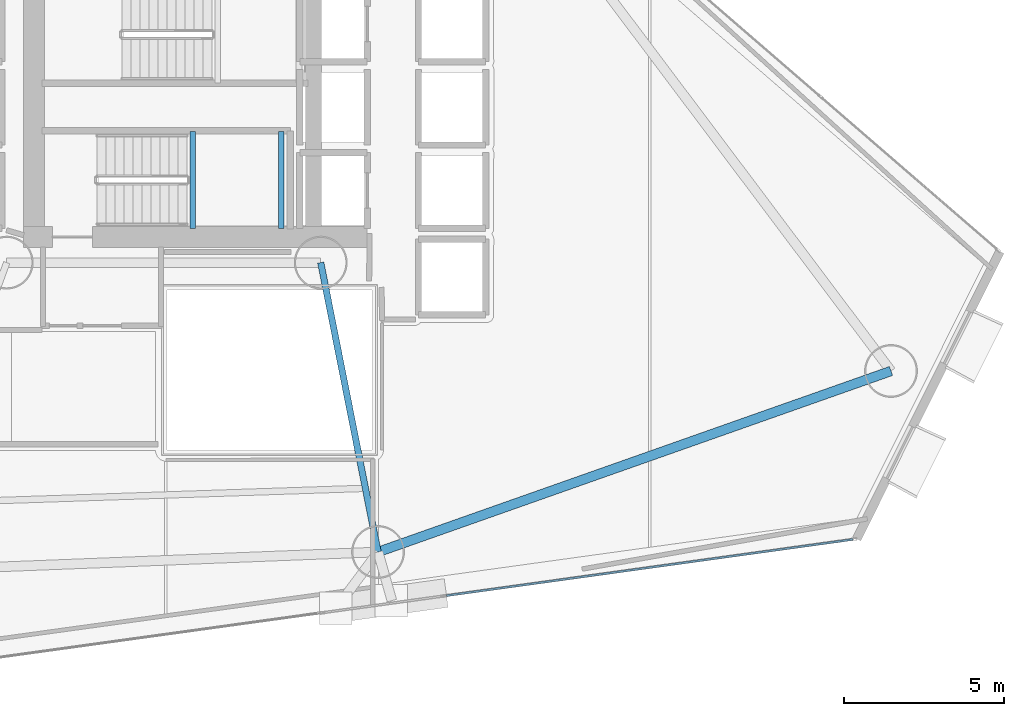
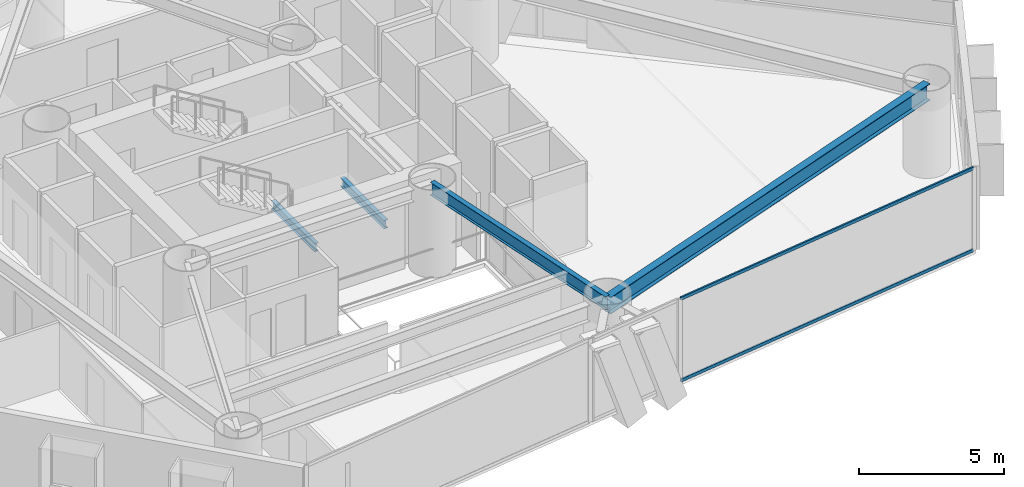
# One storey, part 7 of 23: 4 beams, 2 members, 1 element without a shape of its own.
"""IFC4 building model written with IfcOpenShell, lengths in metres."""

from ifc_helpers import new_model, si_unit, direction, frame, origin, origin_2d, place, context, subcontext, project, spatial, hollow_rectangle, i_section, extrude, material, layer, layer_set, material_profile, profile_set, type_object, element, aggregate, save


model = new_model("IFC4")

# Units and contexts
model_context = context("Model", 3, precision=1e-05, world=origin(), true_north=direction((0.0, 1.0)))
body_context = subcontext(model_context, "Body", "Model", "MODEL_VIEW")
ifc_project = project(units=[si_unit("LENGTHUNIT", "METRE"), si_unit("AREAUNIT", "SQUARE_METRE"), si_unit("VOLUMEUNIT", "CUBIC_METRE"), si_unit("PLANEANGLEUNIT", "RADIAN"), si_unit("MASSUNIT", "GRAM", prefix="KILO")], contexts=[model_context])

# Site, building, storey
site_placement = place(None, origin())
site = spatial("IfcSite", under=ifc_project, at=site_placement, CompositionType="ELEMENT")
building_placement = place(site_placement, origin())
building = spatial("IfcBuilding", under=site, at=building_placement, Name="Qianvela Tower", CompositionType="ELEMENT")
storey_placement = place(building_placement, frame((0.0, 0.0, 74.699951171875)))
storey = spatial("IfcBuildingStorey", under=building, at=storey_placement, Name="L18", CompositionType="ELEMENT", Elevation=74.699951171875)

# Beams
ifc_material_1 = material(Name="Steel Q355B", Category="steel")
ifc_material_profile_1 = material_profile(ifc_material_1, i_section(OverallWidth=0.175048828125, OverallDepth=0.35009765625, WebThickness=0.007080078125, FlangeThickness=0.010986328125, at=origin_2d()), Name="HN350x175x7x11")
ifc_profile_set_1 = profile_set([ifc_material_profile_1], Name="Steel Q355B")
beam_type_1 = type_object("IfcBeamType", Name="BM-HN350-JOIST", PredefinedType="JOIST", material=ifc_profile_set_1)
for number, where, z_axis, x_axis, name in (
    (1, (34.39990234375, 24.919921875, 1.47509765625), (0.0, 1.0, 0.0), (-1.0, 0.0, 0.0), "L18 Stair ST-2 Landing Support Beam 1.1"),
    (2, (37.169921875, 24.919921875, 1.47509765625), (0.0, 1.0, 0.0), (-1.0, 0.0, 0.0), "L18 Stair ST-2 Landing Support Beam 1.2"),
):
    element("IfcBeam", number, at=place(storey_placement, frame(where, z_axis=z_axis, x_axis=x_axis)), inside=storey, type_object=beam_type_1, Name=name, PredefinedType="JOIST", context=body_context, shape_type="SweptSolid", body=[
        extrude(i_section(OverallWidth=0.175048828125, OverallDepth=0.35009765625, WebThickness=0.007080078125, FlangeThickness=0.010986328125, at=origin_2d()), origin(), (0.0, 0.0, 1.0), 3.02001953125),
    ])
ifc_material_2 = material(Name="Steel Q355B", Category="steel")
ifc_material_profile_2 = material_profile(ifc_material_2, i_section(OverallWidth=0.199951171875, OverallDepth=0.550048828125, WebThickness=0.010009765625, FlangeThickness=0.01611328125, at=origin_2d()), Name="HN550x200x10x16")
ifc_profile_set_2 = profile_set([ifc_material_profile_2], Name="Steel Q355B")
beam_type_2 = type_object("IfcBeamType", Name="BM-HN550-GIRD", PredefinedType="BEAM", material=ifc_profile_set_2)
beam_1_placement = place(storey_placement, frame((38.39990234375, 23.85009765625, 3.2431640625), z_axis=(0.194325825688, -0.980937038485, 0.0), x_axis=(0.980937038485, 0.194325825688, 0.0)))
element("IfcBeam", 3, at=beam_1_placement, inside=storey, type_object=beam_type_2, Name="L18 Radial Primary Floor Girder 6", PredefinedType="BEAM", context=body_context, shape_type="SweptSolid", body=[
    extrude(i_section(OverallWidth=0.199951171875, OverallDepth=0.550048828125, WebThickness=0.010009765625, FlangeThickness=0.01611328125, at=origin_2d()), origin(), (0.0, 0.0, 1.0), 9.20654296875),
])
ifc_material_3 = material(Name="Steel Q355B", Category="steel")
ifc_material_profile_3 = material_profile(ifc_material_3, i_section(OverallWidth=0.300048828125, OverallDepth=0.699951171875, WebThickness=0.012939453125, FlangeThickness=0.02392578125, at=origin_2d()), Name="HN700x300x13x24")
ifc_profile_set_3 = profile_set([ifc_material_profile_3], Name="Steel Q355B")
beam_type_3 = type_object("IfcBeamType", Name="BM-HN700-SPAND", PredefinedType="SPANDREL", material=ifc_profile_set_3)
beam_2_placement = place(storey_placement, frame((40.18896484375, 14.819091796875, 3.16796875), z_axis=(0.943021125648, 0.332732860687, 0.0), x_axis=(-0.332732860687, 0.943021125648, 0.0)))
element("IfcBeam", 4, at=beam_2_placement, inside=storey, type_object=beam_type_3, Name="L18 Perimeter Ring Spandrel Girder 6", PredefinedType="SPANDREL", context=body_context, shape_type="SweptSolid", body=[
    extrude(i_section(OverallWidth=0.300048828125, OverallDepth=0.699951171875, WebThickness=0.012939453125, FlangeThickness=0.02392578125, at=origin_2d()), origin(), (0.0, 0.0, 1.0), 16.977294921875),
])

# Curtain wall, members
ifc_material_4 = material(Name="Anodised Architectural Aluminium and Low-E Glass", Category="aluminium")
ifc_layer = layer(ifc_material_4, 0.179931640625)
ifc_layer_set = layer_set([ifc_layer], Name="Anodised Architectural Aluminium and Low-E Glass")
curtain_wall_type = type_object("IfcCurtainWallType", Name="CW-COLIV-Z12", PredefinedType="USERDEFINED", material=ifc_layer_set)
curtain_wall_placement = place(storey_placement, origin())
curtain_wall = element("IfcCurtainWall", 5, at=curtain_wall_placement, inside=storey, type_object=curtain_wall_type, Name="L18 CW-COLIV-Z12 Curtain Wall 06C", ObjectType="CURTAIN_WALL_SYSTEM", PredefinedType="USERDEFINED")
ifc_material_5 = material(Name="Anodised Architectural Aluminium 6063-T6", Category="aluminium")
ifc_material_profile_4 = material_profile(ifc_material_5, hollow_rectangle(XDim=0.06494140625, YDim=0.1298828125, WallThickness=0.00439453125, at=origin_2d()), Name="ALU-TRAN-65x130")
ifc_profile_set_4 = profile_set([ifc_material_profile_4], Name="Anodised Architectural Aluminium 6063-T6")
member_type = type_object("IfcMemberType", Name="CW-COLIV-Z12-TRAN", PredefinedType="USERDEFINED", material=ifc_profile_set_4)
member_1_placement = place(storey_placement, frame((42.319091796875, 13.457275390625, 0.032470703125), z_axis=(0.990573750209, 0.136980456262, 0.0), x_axis=(-0.136980456262, 0.990573750209, 0.0)))
member_1 = element("IfcMember", 6, at=member_1_placement, type_object=member_type, Name="CW-3 transom 1.1", ObjectType="TRANSOM", PredefinedType="USERDEFINED", context=body_context, shape_type="SweptSolid", body=[
    extrude(hollow_rectangle(XDim=0.06494140625, YDim=0.1298828125, WallThickness=0.00439453125, at=origin_2d()), origin(), (0.0, 0.0, 1.0), 12.811279296875),
])
member_2_placement = place(storey_placement, frame((42.319091796875, 13.457275390625, 3.487548828125), z_axis=(0.990573750209, 0.136980456262, 0.0), x_axis=(-0.136980456262, 0.990573750209, 0.0)))
member_2 = element("IfcMember", 7, at=member_2_placement, type_object=member_type, Name="CW-3 transom 1.2", ObjectType="TRANSOM", PredefinedType="USERDEFINED", context=body_context, shape_type="SweptSolid", body=[
    extrude(hollow_rectangle(XDim=0.06494140625, YDim=0.1298828125, WallThickness=0.00439453125, at=origin_2d()), origin(), (0.0, 0.0, 1.0), 12.811279296875),
])
aggregate(curtain_wall, [member_1, member_2])

save(model, "model.ifc")
